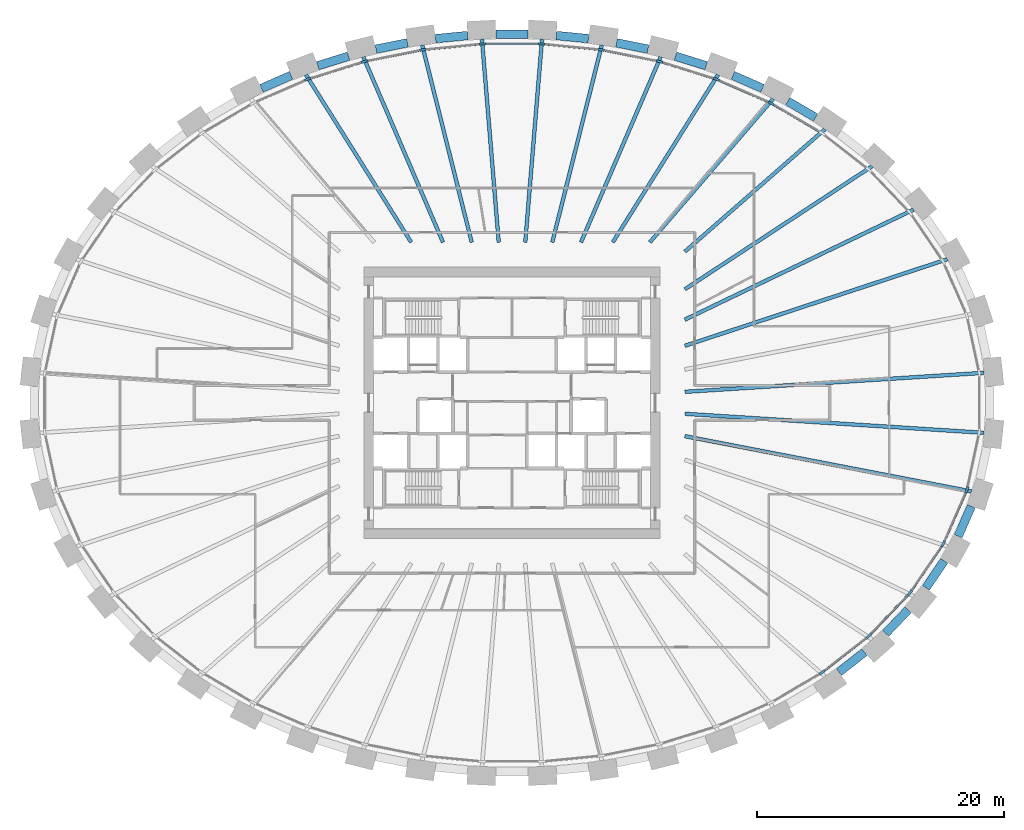
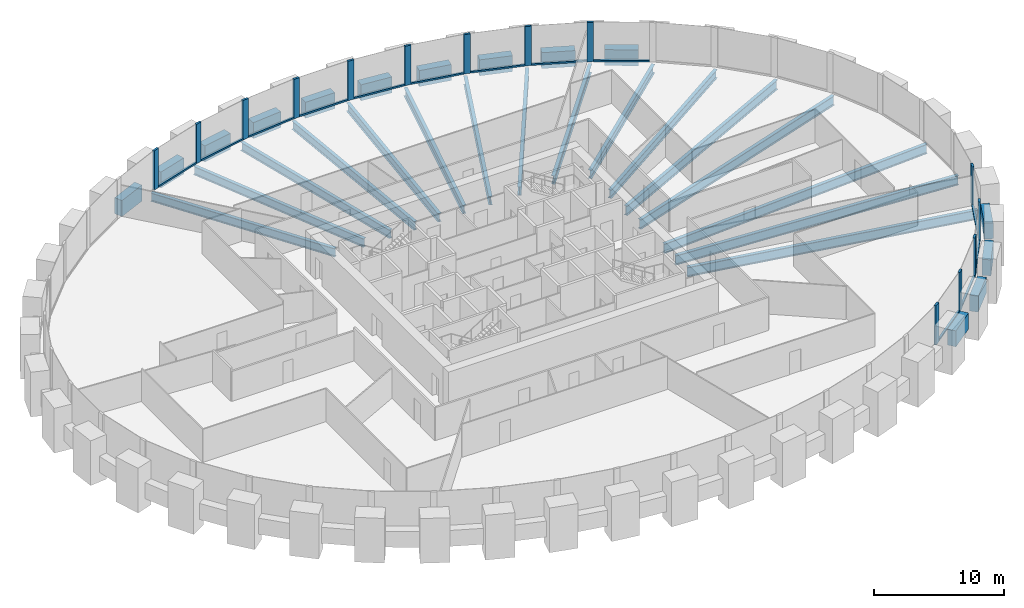
# One storey, part 3 of 11: 30 beams, 27 members, 1 element without a shape of its own.
"""IFC4 building model written with IfcOpenShell, lengths in metres."""

import ifcopenshell
import ifcopenshell.guid

model = None  # the IFC model being written
_history = None  # IfcOwnerHistory: only IFC2X3 demands one
_inside = {}  # id of a spatial element -> (the spatial element, [elements in it])
_under = {}  # id of a project, library or spatial element -> (it, [spatial elements below it])
_declared = {}  # id of a project -> (the project, [libraries it declares])
_typed = {}  # id of a type object -> (the type object, [elements of that type])
_made_of = {}  # id of a material, layer set ... -> (it, [elements and type objects made of it])


def new_model(schema):
    """Start an empty IFC model of exactly this schema.

    Asked for "IFC4X3", IfcOpenShell would pick the latest addendum, in which some entities
    have other attributes; the version numbers below select the first issue.
    IFC2X3 requires an IfcOwnerHistory on every rooted entity: one is made here for all.
    """
    global model, _history
    if schema == "IFC4X3":
        model = ifcopenshell.file(schema_version=(4, 3, 0, 0))
    else:
        model = ifcopenshell.file(schema=schema)
    _inside.clear()
    _under.clear()
    _declared.clear()
    _typed.clear()
    _made_of.clear()
    _history = None
    if model.schema == "IFC2X3":
        org = make("IfcOrganization", Name="unknown")
        user = make(
            "IfcPersonAndOrganization",
            ThePerson=make("IfcPerson", FamilyName="unknown"),
            TheOrganization=org,
        )
        app = make(
            "IfcApplication",
            ApplicationDeveloper=org,
            Version="unknown",
            ApplicationFullName="unknown",
            ApplicationIdentifier="unknown",
        )
        _history = make(
            "IfcOwnerHistory",
            OwningUser=user,
            OwningApplication=app,
            ChangeAction="ADDED",
            CreationDate=0,
        )
    return model


def make(cls, **values):
    """One entity of the class cls with the attributes given. An attribute that is None is left unset."""
    return model.create_entity(
        cls, **{name: value for name, value in values.items() if value is not None}
    )


def rooted(cls, **values):
    """An entity with a GlobalId (a new one), such as an element, a storey or a relation."""
    return make(cls, GlobalId=ifcopenshell.guid.new(), OwnerHistory=_history, **values)


def si_unit(unit_type, name, prefix=None):
    """IfcSIUnit, for example si_unit("LENGTHUNIT", "METRE", prefix="MILLI")."""
    return make("IfcSIUnit", UnitType=unit_type, Prefix=prefix, Name=name)


def assignment(units):
    """IfcUnitAssignment: the units of a project."""
    return None if units is None else make("IfcUnitAssignment", Units=units)


def point(xyz):
    """IfcCartesianPoint."""
    return None if xyz is None else make("IfcCartesianPoint", Coordinates=xyz)


def direction(xyz):
    """IfcDirection."""
    return None if xyz is None else make("IfcDirection", DirectionRatios=xyz)


def frame(location, z_axis=None, x_axis=None):
    """IfcAxis2Placement3D, a coordinate frame: its origin and axes. An axis left out is left unset."""
    return make(
        "IfcAxis2Placement3D",
        Location=point(location),
        Axis=direction(z_axis),
        RefDirection=direction(x_axis),
    )


def frame_2d(location, x_axis=None):
    """IfcAxis2Placement2D, a coordinate frame in the plane: its origin and x axis."""
    return make(
        "IfcAxis2Placement2D", Location=point(location), RefDirection=direction(x_axis)
    )


def origin():
    """The frame at (0, 0, 0) with its axes left unset."""
    return frame((0.0, 0.0, 0.0))


def origin_2d():
    """The frame at (0, 0) in the plane with its x axis left unset."""
    return frame_2d((0.0, 0.0))


def place(relative_to, where):
    """IfcLocalPlacement: puts the frame where relative to a parent placement (None: the world)."""
    return make(
        "IfcLocalPlacement", PlacementRelTo=relative_to, RelativePlacement=where
    )


def context(
    kind, dimensions, precision=None, world=None, true_north=None, identifier=None
):
    """IfcGeometricRepresentationContext, for example the 3D "Model" context."""
    return make(
        "IfcGeometricRepresentationContext",
        ContextIdentifier=identifier,
        ContextType=kind,
        CoordinateSpaceDimension=dimensions,
        Precision=precision,
        WorldCoordinateSystem=world,
        TrueNorth=true_north,
    )


def subcontext(parent, identifier, kind, view, scale=None):
    """IfcGeometricRepresentationSubContext, for example "Body" below "Model"."""
    return make(
        "IfcGeometricRepresentationSubContext",
        ContextIdentifier=identifier,
        ContextType=kind,
        ParentContext=parent,
        TargetScale=scale,
        TargetView=view,
    )


def project(units=None, contexts=None):
    """IfcProject with its units and contexts."""
    return rooted(
        "IfcProject",
        Name="project",
        RepresentationContexts=contexts,
        UnitsInContext=assignment(units),
    )


def spatial(cls, under=None, at=None, **own):
    """A site, building, storey or space (cls), placed at a placement, below another one or the project."""
    s = rooted(cls, ObjectPlacement=at, **own)
    if under is not None:
        _under.setdefault(under.id(), (under, []))[1].append(s)
    return s


def profile(cls, at=None, kind="AREA", **sizes):
    """A parametric profile (cls). Its sizes go by their IFC names, for example OverallWidth=200.0."""
    return make(cls, ProfileType=kind, Position=at, **sizes)


def rectangle(**sizes):
    """IfcRectangleProfileDef."""
    return profile("IfcRectangleProfileDef", **sizes)


def i_section(**sizes):
    """IfcIShapeProfileDef."""
    return profile("IfcIShapeProfileDef", **sizes)


def extrude(swept, where, along, depth):
    """IfcExtrudedAreaSolid: the profile swept, set in the frame where, extruded along a direction by depth."""
    return make(
        "IfcExtrudedAreaSolid",
        SweptArea=swept,
        Position=where,
        ExtrudedDirection=direction(along),
        Depth=depth,
    )


def shape(context_of_items, identifier, shape_type, items):
    """IfcShapeRepresentation: the items that make up one representation, for example the "Body"."""
    return make(
        "IfcShapeRepresentation",
        ContextOfItems=context_of_items,
        RepresentationIdentifier=identifier,
        RepresentationType=shape_type,
        Items=items,
    )


def source(mapping_origin, context_of_items, identifier, shape_type, items):
    """IfcRepresentationMap: a shape defined once, which mapped items show again and again."""
    return make(
        "IfcRepresentationMap",
        MappingOrigin=mapping_origin,
        MappedRepresentation=shape(context_of_items, identifier, shape_type, items),
    )


def transform(
    local_origin,
    x_axis=None,
    y_axis=None,
    z_axis=None,
    scale=None,
    scale2=None,
    scale3=None,
    uniform=True,
):
    """IfcCartesianTransformationOperator3D, or its non-uniform kind. x_axis, y_axis, z_axis: its Axis1, 2, 3."""
    if uniform:
        return make(
            "IfcCartesianTransformationOperator3D",
            Axis1=direction(x_axis),
            Axis2=direction(y_axis),
            LocalOrigin=point(local_origin),
            Scale=scale,
            Axis3=direction(z_axis),
        )
    return make(
        "IfcCartesianTransformationOperator3DnonUniform",
        Axis1=direction(x_axis),
        Axis2=direction(y_axis),
        LocalOrigin=point(local_origin),
        Scale=scale,
        Axis3=direction(z_axis),
        Scale2=scale2,
        Scale3=scale3,
    )


def mapped(mapping_source, mapping_target):
    """IfcMappedItem: shows the shape of a source again, moved by a transform."""
    return make(
        "IfcMappedItem", MappingSource=mapping_source, MappingTarget=mapping_target
    )


def material(Name=None, Category=None):
    """IfcMaterial."""
    return make("IfcMaterial", Name=Name, Category=Category)


def material_profile(
    of_material, cross_section, Name=None, Category=None, Priority=None
):
    """IfcMaterialProfile: a cross section and its material."""
    return make(
        "IfcMaterialProfile",
        Name=Name,
        Material=of_material,
        Profile=cross_section,
        Priority=Priority,
        Category=Category,
    )


def profile_set(profiles, Name=None, composite=None):
    """IfcMaterialProfileSet."""
    return make(
        "IfcMaterialProfileSet",
        Name=Name,
        MaterialProfiles=profiles,
        CompositeProfile=composite,
    )


def made_of(thing, what):
    """Note that an element or type object is made of a material, layer set ...; save() writes the relation."""
    if what is not None:
        _made_of.setdefault(what.id(), (what, []))[1].append(thing)
    return thing


def type_object(cls, material=None, **own):
    """A type object (cls), such as IfcWallType, which elements share."""
    return made_of(rooted(cls, **own), material)


def element(
    cls,
    number,
    at=None,
    inside=None,
    cuts=None,
    type_object=None,
    material=None,
    context=None,
    identifier="Body",
    shape_type=None,
    held_by="IfcProductDefinitionShape",
    body=None,
    shapes=None,
    **own,
):
    """One element of the class cls, such as IfcWall. Its Tag is "e" and its number.

    at: its placement. inside: the storey or other place that contains it. cuts: it is an
    opening in that element (IfcRelVoidsElement). A single representation is given by context,
    identifier, shape_type and body (its items); several are given by shapes. held_by: the class
    of the entity that holds the representations. save() writes the other relations.
    """
    e = rooted(cls, Tag="e%d" % number, ObjectPlacement=at, **own)
    if body is not None:
        shapes = [shape(context, identifier, shape_type, body)]
    if shapes is not None:
        e.Representation = make(held_by, Representations=shapes)
    if inside is not None:
        _inside.setdefault(inside.id(), (inside, []))[1].append(e)
    if cuts is not None:
        rooted(
            "IfcRelVoidsElement", RelatingBuildingElement=cuts, RelatedOpeningElement=e
        )
    if type_object is not None:
        _typed.setdefault(type_object.id(), (type_object, []))[1].append(e)
    return made_of(e, material)


def aggregate(whole, parts):
    """IfcRelAggregates: a whole, such as a stair, and the parts it consists of."""
    return rooted("IfcRelAggregates", RelatingObject=whole, RelatedObjects=parts)


def save(model, path):
    """Write the relations noted so far, then the file.

    IfcRelAggregates (storeys below a building ...), IfcRelContainedInSpatialStructure (elements
    in a storey), IfcRelDefinesByType, IfcRelAssociatesMaterial and IfcRelDeclares: one each for
    every whole, place, type object, material and project.
    """
    for whole, parts in _under.values():
        aggregate(whole, parts)
    for where, things in _inside.values():
        rooted(
            "IfcRelContainedInSpatialStructure",
            RelatedElements=things,
            RelatingStructure=where,
        )
    for kind, things in _typed.values():
        rooted("IfcRelDefinesByType", RelatedObjects=things, RelatingType=kind)
    for what, things in _made_of.values():
        rooted("IfcRelAssociatesMaterial", RelatedObjects=things, RelatingMaterial=what)
    for by, libraries in _declared.values():
        rooted("IfcRelDeclares", RelatingContext=by, RelatedDefinitions=libraries)
    model.write(path)


model = new_model("IFC4")

# Units and contexts
model_context = context("Model", 3, precision=1e-05, world=origin(), true_north=direction((0.0, 1.0)))
body_context = subcontext(model_context, "Body", "Model", "MODEL_VIEW")
ifc_project = project(units=[si_unit("LENGTHUNIT", "METRE"), si_unit("AREAUNIT", "SQUARE_METRE"), si_unit("VOLUMEUNIT", "CUBIC_METRE"), si_unit("PLANEANGLEUNIT", "RADIAN"), si_unit("MASSUNIT", "GRAM", prefix="KILO")], contexts=[model_context])

# Site, building, storey
site_placement = place(None, origin())
site = spatial("IfcSite", under=ifc_project, at=site_placement, CompositionType="ELEMENT")
building_placement = place(site_placement, origin())
building = spatial("IfcBuilding", under=site, at=building_placement, Name="Embergate Tower", CompositionType="ELEMENT")
storey_placement = place(building_placement, frame((0.0, 0.0, 132.0)))
storey = spatial("IfcBuildingStorey", under=building, at=storey_placement, Name="L28", CompositionType="ELEMENT", Elevation=132.0)

# Beams
ifc_material_1 = material(Name="Concrete C70", Category="concrete")
ifc_material_profile_1 = material_profile(ifc_material_1, rectangle(XDim=0.699951171875, YDim=1.5, at=origin_2d()), Name="RC 700x1500")
ifc_profile_set_1 = profile_set([ifc_material_profile_1], Name="Concrete C70")
beam_type_1 = type_object("IfcBeamType", Name="Spandrel beam RC 700x1500 C70", PredefinedType="BEAM", material=ifc_profile_set_1)
shared_shape_1 = source(origin(), body_context, "Body", "SweptSolid", [
    extrude(rectangle(XDim=0.699951171875, YDim=1.5, at=origin_2d()), origin(), (0.0, 0.0, 1.0), 2.640625),
])
beam_1_placement = place(storey_placement, frame((36.137939453125, -10.801025390625, 0.0), z_axis=(0.401827456717, 0.915715400672, 0.0), x_axis=(-0.915715400672, 0.401827456717, 0.0)))
element("IfcBeam", 1, at=beam_1_placement, inside=storey, type_object=beam_type_1, Name="SPN-L28-41", PredefinedType="BEAM", context=body_context, shape_type="MappedRepresentation", body=[
    mapped(shared_shape_1, transform((0.0, 0.0, 0.0))),
])
shared_shape_2 = source(origin(), body_context, "Body", "SweptSolid", [
    extrude(rectangle(XDim=0.699951171875, YDim=1.5, at=origin_2d()), origin(), (0.0, 0.0, 1.0), 2.63037109375),
])
beam_2_placement = place(storey_placement, frame((33.528076171875, -14.97900390625, 0.0), z_axis=(0.562302404878, 0.826931681258, 0.0), x_axis=(-0.826931681258, 0.562302404878, 0.0)))
element("IfcBeam", 2, at=beam_2_placement, inside=storey, type_object=beam_type_1, Name="SPN-L28-40", PredefinedType="BEAM", context=body_context, shape_type="MappedRepresentation", body=[
    mapped(shared_shape_2, transform((0.0, 0.0, 0.0))),
])
shared_shape_3 = source(origin(), body_context, "Body", "SweptSolid", [
    extrude(rectangle(XDim=0.699951171875, YDim=1.5, at=origin_2d()), origin(), (0.0, 0.0, 1.0), 2.6240234375),
])
beam_3_placement = place(storey_placement, frame((30.27099609375, -18.6669921875, 0.0), z_axis=(0.690161462012, 0.723655412716, 0.0), x_axis=(-0.723655412716, 0.690161462012, 0.0)))
element("IfcBeam", 3, at=beam_3_placement, inside=storey, type_object=beam_type_1, Name="SPN-L28-39", PredefinedType="BEAM", context=body_context, shape_type="MappedRepresentation", body=[
    mapped(shared_shape_3, transform((0.0, 0.0, 0.0))),
])
shared_shape_4 = source(origin(), body_context, "Body", "SweptSolid", [
    extrude(rectangle(XDim=0.699951171875, YDim=1.5, at=origin_2d()), origin(), (0.0, 0.0, 1.0), 2.617431640625),
])
beam_4_placement = place(storey_placement, frame((26.489990234375, -21.806884765625, 0.0), z_axis=(0.788185558189, 0.615437670169, 0.0), x_axis=(-0.615437670169, 0.788185558189, 0.0)))
element("IfcBeam", 4, at=beam_4_placement, inside=storey, type_object=beam_type_1, Name="SPN-L28-38", PredefinedType="BEAM", context=body_context, shape_type="MappedRepresentation", body=[
    mapped(shared_shape_4, transform((0.0, 0.0, 0.0))),
])
shared_shape_5 = source(origin(), body_context, "Body", "SweptSolid", [
    extrude(rectangle(XDim=0.699951171875, YDim=1.5, at=origin_2d()), origin(), (0.0, 0.0, 1.0), 2.61328125),
])
beam_5_placement = place(storey_placement, frame((24.587890625, 23.10107421875, 0.0), z_axis=(-0.862147892726, 0.506656699421, 0.0), x_axis=(-0.506656699421, -0.862147892726, 0.0)))
element("IfcBeam", 5, at=beam_5_placement, inside=storey, type_object=beam_type_1, Name="SPN-L28-05", PredefinedType="BEAM", context=body_context, shape_type="MappedRepresentation", body=[
    mapped(shared_shape_5, transform((0.0, 0.0, 0.0))),
])
shared_shape_6 = source(origin(), body_context, "Body", "SweptSolid", [
    extrude(rectangle(XDim=0.699951171875, YDim=1.5, at=origin_2d()), origin(), (0.0, 0.0, 1.0), 2.609619140625),
])
for number, where, z_axis, x_axis, name in (
    (6, (20.285888671875, 25.469970703125, 0.0), (-0.916138010335, 0.400863001561, 0.0), (-0.400863001561, -0.916138010335, 0.0), "SPN-L28-06"),
    (7, (-17.89501953125, 26.51611328125, 0.0), (-0.916138010335, -0.400863001561, 0.0), (0.400863001561, -0.916138010335, 0.0), "SPN-L28-14"),
):
    element("IfcBeam", number, at=place(storey_placement, frame(where, z_axis=z_axis, x_axis=x_axis)), inside=storey, type_object=beam_type_1, Name=name, PredefinedType="BEAM", context=body_context, shape_type="MappedRepresentation", body=[
        mapped(shared_shape_6, transform((0.0, 0.0, 0.0))),
    ])
shared_shape_7 = source(origin(), body_context, "Body", "SweptSolid", [
    extrude(rectangle(XDim=0.699951171875, YDim=1.5, at=origin_2d()), origin(), (0.0, 0.0, 1.0), 2.605712890625),
])
for number, where, z_axis, x_axis, name in (
    (8, (15.73291015625, 27.301025390625, 0.0), (-0.954756318778, 0.297389259647, 0.0), (-0.297389259647, -0.954756318778, 0.0), "SPN-L28-07"),
    (9, (-13.2451171875, 28.075927734375, 0.0), (-0.954756318778, -0.297389259647, 0.0), (0.297389259647, -0.954756318778, 0.0), "SPN-L28-13"),
):
    element("IfcBeam", number, at=place(storey_placement, frame(where, z_axis=z_axis, x_axis=x_axis)), inside=storey, type_object=beam_type_1, Name=name, PredefinedType="BEAM", context=body_context, shape_type="MappedRepresentation", body=[
        mapped(shared_shape_7, transform((0.0, 0.0, 0.0))),
    ])
shared_shape_8 = source(origin(), body_context, "Body", "SweptSolid", [
    extrude(rectangle(XDim=0.699951171875, YDim=1.5, at=origin_2d()), origin(), (0.0, 0.0, 1.0), 2.602783203125),
])
for number, where, z_axis, x_axis, name in (
    (10, (11.01611328125, 28.64501953125, 0.0), (-0.98046506275, 0.196693316425, 0.0), (-0.196693316425, -0.98046506275, 0.0), "SPN-L28-08"),
    (11, (-8.464111328125, 29.156982421875, 0.0), (-0.98046506275, -0.196693316425, 0.0), (0.196693316425, -0.98046506275, 0.0), "SPN-L28-12"),
):
    element("IfcBeam", number, at=place(storey_placement, frame(where, z_axis=z_axis, x_axis=x_axis)), inside=storey, type_object=beam_type_1, Name=name, PredefinedType="BEAM", context=body_context, shape_type="MappedRepresentation", body=[
        mapped(shared_shape_8, transform((0.0, 0.0, 0.0))),
    ])
shared_shape_9 = source(origin(), body_context, "Body", "SweptSolid", [
    extrude(rectangle(XDim=0.699951171875, YDim=1.5, at=origin_2d()), origin(), (0.0, 0.0, 1.0), 2.603515625),
])
for number, where, z_axis, x_axis, name in (
    (12, (6.18896484375, 29.49609375, 0.0), (-0.995232987849, 0.097525893467, 0.0), (-0.097525893467, -0.995232987849, 0.0), "SPN-L28-09"),
    (13, (-3.597900390625, 29.75, 0.0), (-0.995232987849, -0.097525893467, 0.0), (0.097525893467, -0.995232987849, 0.0), "SPN-L28-11"),
):
    element("IfcBeam", number, at=place(storey_placement, frame(where, z_axis=z_axis, x_axis=x_axis)), inside=storey, type_object=beam_type_1, Name=name, PredefinedType="BEAM", context=body_context, shape_type="MappedRepresentation", body=[
        mapped(shared_shape_9, transform((0.0, 0.0, 0.0))),
    ])
shared_shape_10 = source(origin(), body_context, "Body", "SweptSolid", [
    extrude(rectangle(XDim=0.699951171875, YDim=1.5, at=origin_2d()), origin(), (0.0, 0.0, 1.0), 2.60205078125),
])
beam_6_placement = place(storey_placement, frame((1.301025390625, 29.863037109375, 0.0), z_axis=(-1.0, 0.0, 0.0), x_axis=(0.0, -1.0, 0.0)))
element("IfcBeam", 14, at=beam_6_placement, inside=storey, type_object=beam_type_1, Name="SPN-L28-10", PredefinedType="BEAM", context=body_context, shape_type="MappedRepresentation", body=[
    mapped(shared_shape_10, transform((0.0, 0.0, 0.0))),
])
ifc_material_2 = material(Name="Steel Q355B", Category="steel")
ifc_material_profile_2 = material_profile(ifc_material_2, i_section(OverallWidth=0.300048828125, OverallDepth=0.89990234375, WebThickness=0.01611328125, FlangeThickness=0.028076171875, FilletRadius=0.028076171875, at=origin_2d()), Name="HN 900x300x16x28")
ifc_profile_set_2 = profile_set([ifc_material_profile_2], Name="Steel Q355 grade B")
beam_type_2 = type_object("IfcBeamType", Name="Radial girder HN 900x300x16x28", PredefinedType="BEAM", material=ifc_profile_set_2)
shared_shape_11 = source(origin(), body_context, "Body", "SweptSolid", [
    extrude(i_section(OverallWidth=0.300048828125, OverallDepth=0.89990234375, WebThickness=0.01611328125, FlangeThickness=0.028076171875, FilletRadius=0.028076171875, at=origin_2d()), origin(), (0.0, 0.0, 1.0), 24.284912109375),
])
for number, where, z_axis, x_axis, name in (
    (15, (38.236083984375, 2.428955078125, -0.949951171875), (-0.997987222213, -0.063415331746, 0.0), (0.063415331746, -0.997987222213, 0.0), "GIR-L28-00"),
    (16, (38.236083984375, -2.428955078125, -0.949951171875), (-0.997987222213, 0.063415331746, 0.0), (-0.063415331746, -0.997987222213, 0.0), "GIR-L28-43"),
):
    element("IfcBeam", number, at=place(storey_placement, frame(where, z_axis=z_axis, x_axis=x_axis)), inside=storey, type_object=beam_type_2, Name=name, PredefinedType="BEAM", context=body_context, shape_type="MappedRepresentation", body=[
        mapped(shared_shape_11, transform((0.0, 0.0, 0.0))),
    ])
shared_shape_12 = source(origin(), body_context, "Body", "SweptSolid", [
    extrude(i_section(OverallWidth=0.300048828125, OverallDepth=0.89990234375, WebThickness=0.01611328125, FlangeThickness=0.028076171875, FilletRadius=0.028076171875, at=origin_2d()), origin(), (0.0, 0.0, 1.0), 23.64208984375),
])
beam_7_placement = place(storey_placement, frame((37.214111328125, -7.178955078125, -0.949951171875), z_axis=(-0.981898233301, 0.189409238, 0.0), x_axis=(-0.189409238, -0.981898233301, 0.0)))
element("IfcBeam", 17, at=beam_7_placement, inside=storey, type_object=beam_type_2, Name="GIR-L28-42", PredefinedType="BEAM", context=body_context, shape_type="MappedRepresentation", body=[
    mapped(shared_shape_12, transform((0.0, 0.0, 0.0))),
])
shared_shape_13 = source(origin(), body_context, "Body", "SweptSolid", [
    extrude(i_section(OverallWidth=0.300048828125, OverallDepth=0.89990234375, WebThickness=0.01611328125, FlangeThickness=0.028076171875, FilletRadius=0.028076171875, at=origin_2d()), origin(), (0.0, 0.0, 1.0), 22.388427734375),
])
beam_8_placement = place(storey_placement, frame((35.261962890625, 11.62890625, -0.949951171875), z_axis=(-0.949688245949, -0.313196799962, 0.0), x_axis=(0.313196799962, -0.949688245949, 0.0)))
element("IfcBeam", 18, at=beam_8_placement, inside=storey, type_object=beam_type_2, Name="GIR-L28-02", PredefinedType="BEAM", context=body_context, shape_type="MappedRepresentation", body=[
    mapped(shared_shape_13, transform((0.0, 0.0, 0.0))),
])
shared_shape_14 = source(origin(), body_context, "Body", "SweptSolid", [
    extrude(i_section(OverallWidth=0.300048828125, OverallDepth=0.89990234375, WebThickness=0.01611328125, FlangeThickness=0.028076171875, FilletRadius=0.028076171875, at=origin_2d()), origin(), (0.0, 0.0, 1.0), 20.560791015625),
])
beam_9_placement = place(storey_placement, frame((32.528076171875, 15.64892578125, -0.949951171875), z_axis=(-0.901136736835, -0.433534983049, 0.0), x_axis=(0.433534983049, -0.901136736835, 0.0)))
element("IfcBeam", 19, at=beam_9_placement, inside=storey, type_object=beam_type_2, Name="GIR-L28-03", PredefinedType="BEAM", context=body_context, shape_type="MappedRepresentation", body=[
    mapped(shared_shape_14, transform((0.0, 0.0, 0.0))),
])
ifc_material_profile_3 = material_profile(ifc_material_2, i_section(OverallWidth=0.300048828125, OverallDepth=0.800048828125, WebThickness=0.013916015625, FlangeThickness=0.02587890625, FilletRadius=0.028076171875, at=origin_2d()), Name="HN 800x300x14x26")
ifc_profile_set_3 = profile_set([ifc_material_profile_3], Name="Steel Q355 grade B")
beam_type_3 = type_object("IfcBeamType", Name="Radial girder HN 800x300x14x26", PredefinedType="BEAM", material=ifc_profile_set_3)
shared_shape_15 = source(origin(), body_context, "Body", "SweptSolid", [
    extrude(i_section(OverallWidth=0.300048828125, OverallDepth=0.800048828125, WebThickness=0.013916015625, FlangeThickness=0.02587890625, FilletRadius=0.028076171875, at=origin_2d()), origin(), (0.0, 0.0, 1.0), 18.155029296875),
])
beam_10_placement = place(storey_placement, frame((29.173095703125, 19.1669921875, -0.89990234375), z_axis=(-0.835753440048, -0.549104896579, 0.0), x_axis=(0.549104896579, -0.835753440048, 0.0)))
element("IfcBeam", 20, at=beam_10_placement, inside=storey, type_object=beam_type_3, Name="GIR-L28-04", PredefinedType="BEAM", context=body_context, shape_type="MappedRepresentation", body=[
    mapped(shared_shape_15, transform((0.0, 0.0, 0.0))),
])
shared_shape_16 = source(origin(), body_context, "Body", "SweptSolid", [
    extrude(i_section(OverallWidth=0.300048828125, OverallDepth=0.800048828125, WebThickness=0.013916015625, FlangeThickness=0.02587890625, FilletRadius=0.028076171875, at=origin_2d()), origin(), (0.0, 0.0, 1.0), 15.064697265625),
])
beam_11_placement = place(storey_placement, frame((25.340087890625, 22.159912109375, -0.89990234375), z_axis=(-0.752760383149, -0.65829461912, 0.0), x_axis=(0.65829461912, -0.752760383149, 0.0)))
element("IfcBeam", 21, at=beam_11_placement, inside=storey, type_object=beam_type_3, Name="GIR-L28-05", PredefinedType="BEAM", context=body_context, shape_type="MappedRepresentation", body=[
    mapped(shared_shape_16, transform((0.0, 0.0, 0.0))),
])
shared_shape_17 = source(origin(), body_context, "Body", "SweptSolid", [
    extrude(i_section(OverallWidth=0.300048828125, OverallDepth=0.800048828125, WebThickness=0.013916015625, FlangeThickness=0.02587890625, FilletRadius=0.028076171875, at=origin_2d()), origin(), (0.0, 0.0, 1.0), 15.32177734375),
])
beam_12_placement = place(storey_placement, frame((21.14599609375, 24.6240234375, -0.89990234375), z_axis=(-0.651486582334, -0.758660156486, 0.0), x_axis=(0.758660156486, -0.651486582334, 0.0)))
element("IfcBeam", 22, at=beam_12_placement, inside=storey, type_object=beam_type_3, Name="GIR-L28-06", PredefinedType="BEAM", context=body_context, shape_type="MappedRepresentation", body=[
    mapped(shared_shape_17, transform((0.0, 0.0, 0.0))),
])
shared_shape_18 = source(origin(), body_context, "Body", "SweptSolid", [
    extrude(i_section(OverallWidth=0.300048828125, OverallDepth=0.800048828125, WebThickness=0.013916015625, FlangeThickness=0.02587890625, FilletRadius=0.028076171875, at=origin_2d()), origin(), (0.0, 0.0, 1.0), 16.029052734375),
])
for number, where, z_axis, x_axis, name in (
    (23, (16.68994140625, 26.573974609375, -0.89990234375), (-0.531844599724, -0.846841969759, 0.0), (0.846841969759, -0.531844599724, 0.0), "GIR-L28-07"),
    (24, (-16.68994140625, 26.573974609375, -0.89990234375), (0.531844599724, -0.846841969759, 0.0), (0.846841969759, 0.531844599724, 0.0), "GIR-L28-14"),
):
    element("IfcBeam", number, at=place(storey_placement, frame(where, z_axis=z_axis, x_axis=x_axis)), inside=storey, type_object=beam_type_3, Name=name, PredefinedType="BEAM", context=body_context, shape_type="MappedRepresentation", body=[
        mapped(shared_shape_18, transform((0.0, 0.0, 0.0))),
    ])
shared_shape_19 = source(origin(), body_context, "Body", "SweptSolid", [
    extrude(i_section(OverallWidth=0.300048828125, OverallDepth=0.800048828125, WebThickness=0.013916015625, FlangeThickness=0.02587890625, FilletRadius=0.028076171875, at=origin_2d()), origin(), (0.0, 0.0, 1.0), 16.3486328125),
])
for number, where, z_axis, x_axis, name in (
    (25, (12.0439453125, 28.02001953125, -0.89990234375), (-0.394895919254, -0.918725863877, 0.0), (0.918725863877, -0.394895919254, 0.0), "GIR-L28-08"),
    (26, (-12.0439453125, 28.02001953125, -0.89990234375), (0.394895919254, -0.918725863877, 0.0), (0.918725863877, 0.394895919254, 0.0), "GIR-L28-13"),
):
    element("IfcBeam", number, at=place(storey_placement, frame(where, z_axis=z_axis, x_axis=x_axis)), inside=storey, type_object=beam_type_3, Name=name, PredefinedType="BEAM", context=body_context, shape_type="MappedRepresentation", body=[
        mapped(shared_shape_19, transform((0.0, 0.0, 0.0))),
    ])
shared_shape_20 = source(origin(), body_context, "Body", "SweptSolid", [
    extrude(i_section(OverallWidth=0.300048828125, OverallDepth=0.800048828125, WebThickness=0.013916015625, FlangeThickness=0.02587890625, FilletRadius=0.028076171875, at=origin_2d()), origin(), (0.0, 0.0, 1.0), 16.472900390625),
])
for number, where, z_axis, x_axis, name in (
    (27, (7.27490234375, 28.97705078125, -0.89990234375), (-0.243491013448, -0.969903153088, 0.0), (0.969903153088, -0.243491013448, 0.0), "GIR-L28-09"),
    (28, (-7.27490234375, 28.97705078125, -0.89990234375), (0.243491013448, -0.969903153088, 0.0), (0.969903153088, 0.243491013448, 0.0), "GIR-L28-12"),
):
    element("IfcBeam", number, at=place(storey_placement, frame(where, z_axis=z_axis, x_axis=x_axis)), inside=storey, type_object=beam_type_3, Name=name, PredefinedType="BEAM", context=body_context, shape_type="MappedRepresentation", body=[
        mapped(shared_shape_20, transform((0.0, 0.0, 0.0))),
    ])
shared_shape_21 = source(origin(), body_context, "Body", "SweptSolid", [
    extrude(i_section(OverallWidth=0.300048828125, OverallDepth=0.800048828125, WebThickness=0.013916015625, FlangeThickness=0.02587890625, FilletRadius=0.028076171875, at=origin_2d()), origin(), (0.0, 0.0, 1.0), 16.5087890625),
])
for number, where, z_axis, x_axis, name in (
    (29, (2.431884765625, 29.452880859375, -0.89990234375), (-0.082253606251, -0.996611430929, 0.0), (0.996611430929, -0.082253606251, 0.0), "GIR-L28-10"),
    (30, (-2.431884765625, 29.452880859375, -0.89990234375), (0.082253606251, -0.996611430929, 0.0), (0.996611430929, 0.082253606251, 0.0), "GIR-L28-11"),
):
    element("IfcBeam", number, at=place(storey_placement, frame(where, z_axis=z_axis, x_axis=x_axis)), inside=storey, type_object=beam_type_3, Name=name, PredefinedType="BEAM", context=body_context, shape_type="MappedRepresentation", body=[
        mapped(shared_shape_21, transform((0.0, 0.0, 0.0))),
    ])

# Curtain wall, members
ifc_material_3 = material(Name="Aluminium and glass", Category="aluminium")
curtain_wall_type = type_object("IfcCurtainWallType", Name="Recessed office glazing", PredefinedType="NOTDEFINED", material=ifc_material_3)
curtain_wall_placement = place(storey_placement, origin())
curtain_wall = element("IfcCurtainWall", 31, at=curtain_wall_placement, inside=storey, type_object=curtain_wall_type, Name="Recessed office glazing ring", ObjectType="RECESSED OFFICE GLAZING", PredefinedType="USERDEFINED")
ifc_material_4 = material(Name="Aluminium, thermally broken", Category="aluminium")
ifc_material_profile_4 = material_profile(ifc_material_4, rectangle(XDim=0.179931640625, YDim=0.52001953125, at=origin_2d()), Name="AL 520x180")
ifc_profile_set_4 = profile_set([ifc_material_profile_4], Name="Aluminium, thermally broken")
member_type_1 = type_object("IfcMemberType", Name="Office mullion", PredefinedType="MULLION", material=ifc_profile_set_4)
shared_shape_22 = source(origin(), body_context, "Body", "SweptSolid", [
    extrude(rectangle(XDim=0.179931640625, YDim=0.52001953125, at=origin_2d()), origin(), (0.0, 0.0, 1.0), 3.699951171875),
])
member_1_placement = place(storey_placement, frame((20.969482421875, 24.27685546875, 0.0), z_axis=(0.0, 0.0, 1.0), x_axis=(-0.454508271251, -0.890742516872, 0.0)))
member_1 = element("IfcMember", 32, at=member_1_placement, type_object=member_type_1, Name="CW mullion 7", PredefinedType="MULLION", context=body_context, shape_type="MappedRepresentation", body=[
    mapped(shared_shape_22, transform((0.0, 0.0, 0.0))),
])
member_2_placement = place(storey_placement, frame((16.553466796875, 26.2080078125, 0.0), z_axis=(0.0, 0.0, 1.0), x_axis=(-0.349501047589, -0.936935973124, 0.0)))
member_2 = element("IfcMember", 33, at=member_2_placement, type_object=member_type_1, Name="CW mullion 8", PredefinedType="MULLION", context=body_context, shape_type="MappedRepresentation", body=[
    mapped(shared_shape_22, transform((0.0, 0.0, 0.0))),
])
member_3_placement = place(storey_placement, frame((11.9482421875, 27.64208984375, 0.0), z_axis=(0.0, 0.0, 1.0), x_axis=(-0.247310190257, -0.968936360034, 0.0)))
member_3 = element("IfcMember", 34, at=member_3_placement, type_object=member_type_1, Name="CW mullion 9", PredefinedType="MULLION", context=body_context, shape_type="MappedRepresentation", body=[
    mapped(shared_shape_22, transform((0.0, 0.0, 0.0))),
])
member_4_placement = place(storey_placement, frame((7.217041015625, 28.5908203125, 0.0), z_axis=(0.0, 0.0, 1.0), x_axis=(-0.147410656556, -0.989075375456, 0.0)))
member_4 = element("IfcMember", 35, at=member_4_placement, type_object=member_type_1, Name="CW mullion 10", PredefinedType="MULLION", context=body_context, shape_type="MappedRepresentation", body=[
    mapped(shared_shape_22, transform((0.0, 0.0, 0.0))),
])
member_5_placement = place(storey_placement, frame((2.41357421875, 29.06298828125, 0.0), z_axis=(0.0, 0.0, 1.0), x_axis=(-0.048971796621, -0.998800161762, 0.0)))
member_5 = element("IfcMember", 36, at=member_5_placement, type_object=member_type_1, Name="CW mullion 11", PredefinedType="MULLION", context=body_context, shape_type="MappedRepresentation", body=[
    mapped(shared_shape_22, transform((0.0, 0.0, 0.0))),
])
member_6_placement = place(storey_placement, frame((-2.41357421875, 29.06298828125, 0.0), z_axis=(0.0, 0.0, 1.0), x_axis=(0.048971796621, -0.998800161762, 0.0)))
member_6 = element("IfcMember", 37, at=member_6_placement, type_object=member_type_1, Name="CW mullion 12", PredefinedType="MULLION", context=body_context, shape_type="MappedRepresentation", body=[
    mapped(shared_shape_22, transform((0.0, 0.0, 0.0))),
])
member_7_placement = place(storey_placement, frame((-7.217041015625, 28.5908203125, 0.0), z_axis=(0.0, 0.0, 1.0), x_axis=(0.147410656556, -0.989075375456, 0.0)))
member_7 = element("IfcMember", 38, at=member_7_placement, type_object=member_type_1, Name="CW mullion 13", PredefinedType="MULLION", context=body_context, shape_type="MappedRepresentation", body=[
    mapped(shared_shape_22, transform((0.0, 0.0, 0.0))),
])
member_8_placement = place(storey_placement, frame((-11.9482421875, 27.64208984375, 0.0), z_axis=(0.0, 0.0, 1.0), x_axis=(0.247310190257, -0.968936360034, 0.0)))
member_8 = element("IfcMember", 39, at=member_8_placement, type_object=member_type_1, Name="CW mullion 14", PredefinedType="MULLION", context=body_context, shape_type="MappedRepresentation", body=[
    mapped(shared_shape_22, transform((0.0, 0.0, 0.0))),
])
member_9_placement = place(storey_placement, frame((-16.553466796875, 26.2080078125, 0.0), z_axis=(0.0, 0.0, 1.0), x_axis=(0.349501047589, -0.936935973124, 0.0)))
member_9 = element("IfcMember", 40, at=member_9_placement, type_object=member_type_1, Name="CW mullion 15", PredefinedType="MULLION", context=body_context, shape_type="MappedRepresentation", body=[
    mapped(shared_shape_22, transform((0.0, 0.0, 0.0))),
])
member_10_placement = place(storey_placement, frame((25.12060546875, -21.83642578125, 0.0), z_axis=(0.0, 0.0, 1.0), x_axis=(-0.562214731803, 0.826991290972, 0.0)))
member_10 = element("IfcMember", 41, at=member_10_placement, type_object=member_type_1, Name="CW mullion 39", PredefinedType="MULLION", context=body_context, shape_type="MappedRepresentation", body=[
    mapped(shared_shape_22, transform((0.0, 0.0, 0.0))),
])
member_11_placement = place(storey_placement, frame((28.912109375, -18.87744140625, 0.0), z_axis=(0.0, 0.0, 1.0), x_axis=(-0.671225240226, 0.741253449829, 0.0)))
member_11 = element("IfcMember", 42, at=member_11_placement, type_object=member_type_1, Name="CW mullion 40", PredefinedType="MULLION", context=body_context, shape_type="MappedRepresentation", body=[
    mapped(shared_shape_22, transform((0.0, 0.0, 0.0))),
])
member_12_placement = place(storey_placement, frame((32.22607421875, -15.40234375, 0.0), z_axis=(0.0, 0.0, 1.0), x_axis=(-0.777872564355, 0.628422050555, 0.0)))
member_12 = element("IfcMember", 43, at=member_12_placement, type_object=member_type_1, Name="CW mullion 41", PredefinedType="MULLION", context=body_context, shape_type="MappedRepresentation", body=[
    mapped(shared_shape_22, transform((0.0, 0.0, 0.0))),
])
member_13_placement = place(storey_placement, frame((34.92138671875, -11.43896484375, 0.0), z_axis=(0.0, 0.0, 1.0), x_axis=(-0.875001895832, 0.484119491748, 0.0)))
member_13 = element("IfcMember", 44, at=member_13_placement, type_object=member_type_1, Name="CW mullion 42", PredefinedType="MULLION", context=body_context, shape_type="MappedRepresentation", body=[
    mapped(shared_shape_22, transform((0.0, 0.0, 0.0))),
])
member_14_placement = place(storey_placement, frame((36.843017578125, -7.0576171875, 0.0), z_axis=(0.0, 0.0, 1.0), x_axis=(-0.951498334951, 0.307653894149, 0.0)))
member_14 = element("IfcMember", 45, at=member_14_placement, type_object=member_type_1, Name="CW mullion 43", PredefinedType="MULLION", context=body_context, shape_type="MappedRepresentation", body=[
    mapped(shared_shape_22, transform((0.0, 0.0, 0.0))),
])
ifc_material_profile_5 = material_profile(ifc_material_4, rectangle(XDim=0.179931640625, YDim=0.14990234375, at=origin_2d()), Name="AL 150x180")
ifc_profile_set_5 = profile_set([ifc_material_profile_5], Name="Aluminium, thermally broken")
member_type_2 = type_object("IfcMemberType", Name="Office sill transom", PredefinedType="USERDEFINED", material=ifc_profile_set_5)
shared_shape_23 = source(origin(), body_context, "Body", "SweptSolid", [
    extrude(rectangle(XDim=0.179931640625, YDim=0.14990234375, at=origin_2d()), origin(), (0.0, 0.0, 1.0), 4.30322265625),
])
member_15_placement = place(storey_placement, frame((16.30517578125, 26.28515625, 0.074951171875), z_axis=(-0.954771265883, 0.297341268316, 0.0), x_axis=(-0.297341268316, -0.954771265883, 0.0)))
member_15 = element("IfcMember", 46, at=member_15_placement, type_object=member_type_2, Name="CW transom 8.1", ObjectType="TRANSOM", PredefinedType="USERDEFINED", context=body_context, shape_type="MappedRepresentation", body=[
    mapped(shared_shape_23, transform((0.0, 0.0, 0.0))),
])
member_16_placement = place(storey_placement, frame((-12.196533203125, 27.564697265625, 0.074951171875), z_axis=(-0.954771265883, -0.297341268316, 0.0), x_axis=(0.297341268316, -0.954771265883, 0.0)))
member_16 = element("IfcMember", 47, at=member_16_placement, type_object=member_type_2, Name="CW transom 14.1", ObjectType="TRANSOM", PredefinedType="USERDEFINED", context=body_context, shape_type="MappedRepresentation", body=[
    mapped(shared_shape_23, transform((0.0, 0.0, 0.0))),
])
shared_shape_24 = source(origin(), body_context, "Body", "SweptSolid", [
    extrude(rectangle(XDim=0.179931640625, YDim=0.14990234375, at=origin_2d()), origin(), (0.0, 0.0, 1.0), 4.26416015625),
])
member_17_placement = place(storey_placement, frame((35.02587890625, -11.20068359375, 0.074951171875), z_axis=(0.401644646583, 0.915795598303, 0.0), x_axis=(-0.915795598303, 0.401644646583, 0.0)))
member_17 = element("IfcMember", 48, at=member_17_placement, type_object=member_type_2, Name="CW transom 42.1", ObjectType="TRANSOM", PredefinedType="USERDEFINED", context=body_context, shape_type="MappedRepresentation", body=[
    mapped(shared_shape_24, transform((0.0, 0.0, 0.0))),
])
shared_shape_25 = source(origin(), body_context, "Body", "SweptSolid", [
    extrude(rectangle(XDim=0.179931640625, YDim=0.14990234375, at=origin_2d()), origin(), (0.0, 0.0, 1.0), 4.273193359375),
])
member_18_placement = place(storey_placement, frame((32.372314453125, -15.1875, 0.074951171875), z_axis=(0.562297519714, 0.826935003083, 0.0), x_axis=(-0.826935003083, 0.562297519714, 0.0)))
member_18 = element("IfcMember", 49, at=member_18_placement, type_object=member_type_2, Name="CW transom 41.1", ObjectType="TRANSOM", PredefinedType="USERDEFINED", context=body_context, shape_type="MappedRepresentation", body=[
    mapped(shared_shape_25, transform((0.0, 0.0, 0.0))),
])
shared_shape_26 = source(origin(), body_context, "Body", "SweptSolid", [
    extrude(rectangle(XDim=0.179931640625, YDim=0.14990234375, at=origin_2d()), origin(), (0.0, 0.0, 1.0), 4.28173828125),
])
member_19_placement = place(storey_placement, frame((29.091552734375, -18.689208984375, 0.074951171875), z_axis=(0.690114923588, 0.72369979428, 0.0), x_axis=(-0.72369979428, 0.690114923588, 0.0)))
member_19 = element("IfcMember", 50, at=member_19_placement, type_object=member_type_2, Name="CW transom 40.1", ObjectType="TRANSOM", PredefinedType="USERDEFINED", context=body_context, shape_type="MappedRepresentation", body=[
    mapped(shared_shape_26, transform((0.0, 0.0, 0.0))),
])
shared_shape_27 = source(origin(), body_context, "Body", "SweptSolid", [
    extrude(rectangle(XDim=0.179931640625, YDim=0.14990234375, at=origin_2d()), origin(), (0.0, 0.0, 1.0), 4.289306640625),
])
member_20_placement = place(storey_placement, frame((25.32568359375, -21.676513671875, 0.074951171875), z_axis=(0.788309050115, 0.615279482436, 0.0), x_axis=(-0.615279482436, 0.788309050115, 0.0)))
member_20 = element("IfcMember", 51, at=member_20_placement, type_object=member_type_2, Name="CW transom 39.1", ObjectType="TRANSOM", PredefinedType="USERDEFINED", context=body_context, shape_type="MappedRepresentation", body=[
    mapped(shared_shape_27, transform((0.0, 0.0, 0.0))),
])
shared_shape_28 = source(origin(), body_context, "Body", "SweptSolid", [
    extrude(rectangle(XDim=0.179931640625, YDim=0.14990234375, at=origin_2d()), origin(), (0.0, 0.0, 1.0), 4.29541015625),
])
member_21_placement = place(storey_placement, frame((24.896484375, 21.968017578125, 0.074951171875), z_axis=(-0.862052542004, 0.506818917192, 0.0), x_axis=(-0.506818917192, -0.862052542004, 0.0)))
member_21 = element("IfcMember", 52, at=member_21_placement, type_object=member_type_2, Name="CW transom 6.1", ObjectType="TRANSOM", PredefinedType="USERDEFINED", context=body_context, shape_type="MappedRepresentation", body=[
    mapped(shared_shape_28, transform((0.0, 0.0, 0.0))),
])
shared_shape_29 = source(origin(), body_context, "Body", "SweptSolid", [
    extrude(rectangle(XDim=0.179931640625, YDim=0.14990234375, at=origin_2d()), origin(), (0.0, 0.0, 1.0), 4.300048828125),
])
member_22_placement = place(storey_placement, frame((20.7314453125, 24.381103515625, 0.074951171875), z_axis=(-0.916248524826, 0.400610335306, 0.0), x_axis=(-0.400610335306, -0.916248524826, 0.0)))
member_22 = element("IfcMember", 53, at=member_22_placement, type_object=member_type_2, Name="CW transom 7.1", ObjectType="TRANSOM", PredefinedType="USERDEFINED", context=body_context, shape_type="MappedRepresentation", body=[
    mapped(shared_shape_29, transform((0.0, 0.0, 0.0))),
])
shared_shape_30 = source(origin(), body_context, "Body", "SweptSolid", [
    extrude(rectangle(XDim=0.179931640625, YDim=0.14990234375, at=origin_2d()), origin(), (0.0, 0.0, 1.0), 4.305419921875),
])
member_23_placement = place(storey_placement, frame((11.693359375, 27.693115234375, 0.074951171875), z_axis=(-0.980473664356, 0.196650434792, 0.0), x_axis=(-0.196650434792, -0.980473664356, 0.0)))
member_23 = element("IfcMember", 54, at=member_23_placement, type_object=member_type_2, Name="CW transom 9.1", ObjectType="TRANSOM", PredefinedType="USERDEFINED", context=body_context, shape_type="MappedRepresentation", body=[
    mapped(shared_shape_30, transform((0.0, 0.0, 0.0))),
])
member_24_placement = place(storey_placement, frame((-7.471923828125, 28.539794921875, 0.074951171875), z_axis=(-0.980473664356, -0.196650434792, 0.0), x_axis=(0.196650434792, -0.980473664356, 0.0)))
member_24 = element("IfcMember", 55, at=member_24_placement, type_object=member_type_2, Name="CW transom 13.1", ObjectType="TRANSOM", PredefinedType="USERDEFINED", context=body_context, shape_type="MappedRepresentation", body=[
    mapped(shared_shape_30, transform((0.0, 0.0, 0.0))),
])
shared_shape_31 = source(origin(), body_context, "Body", "SweptSolid", [
    extrude(rectangle(XDim=0.179931640625, YDim=0.14990234375, at=origin_2d()), origin(), (0.0, 0.0, 1.0), 4.306884765625),
])
member_25_placement = place(storey_placement, frame((6.95849609375, 28.6162109375, 0.074951171875), z_axis=(-0.995201936344, 0.097842250064, 0.0), x_axis=(-0.097842250064, -0.995201936344, 0.0)))
member_25 = element("IfcMember", 56, at=member_25_placement, type_object=member_type_2, Name="CW transom 10.1", ObjectType="TRANSOM", PredefinedType="USERDEFINED", context=body_context, shape_type="MappedRepresentation", body=[
    mapped(shared_shape_31, transform((0.0, 0.0, 0.0))),
])
member_26_placement = place(storey_placement, frame((-2.67236328125, 29.03759765625, 0.074951171875), z_axis=(-0.995201936344, -0.097842250064, 0.0), x_axis=(0.097842250064, -0.995201936344, 0.0)))
member_26 = element("IfcMember", 57, at=member_26_placement, type_object=member_type_2, Name="CW transom 12.1", ObjectType="TRANSOM", PredefinedType="USERDEFINED", context=body_context, shape_type="MappedRepresentation", body=[
    mapped(shared_shape_31, transform((0.0, 0.0, 0.0))),
])
shared_shape_32 = source(origin(), body_context, "Body", "SweptSolid", [
    extrude(rectangle(XDim=0.179931640625, YDim=0.14990234375, at=origin_2d()), origin(), (0.0, 0.0, 1.0), 4.30712890625),
])
member_27_placement = place(storey_placement, frame((2.153564453125, 29.06298828125, 0.074951171875), z_axis=(-1.0, 0.0, 0.0), x_axis=(0.0, -1.0, 0.0)))
member_27 = element("IfcMember", 58, at=member_27_placement, type_object=member_type_2, Name="CW transom 11.1", ObjectType="TRANSOM", PredefinedType="USERDEFINED", context=body_context, shape_type="MappedRepresentation", body=[
    mapped(shared_shape_32, transform((0.0, 0.0, 0.0))),
])
aggregate(curtain_wall, [member_1, member_2, member_3, member_4, member_5, member_6, member_7, member_8, member_9, member_10, member_11, member_12, member_13, member_14, member_21, member_22, member_15, member_23, member_25, member_27, member_26, member_24, member_16, member_20, member_19, member_18, member_17])

save(model, "model.ifc")
